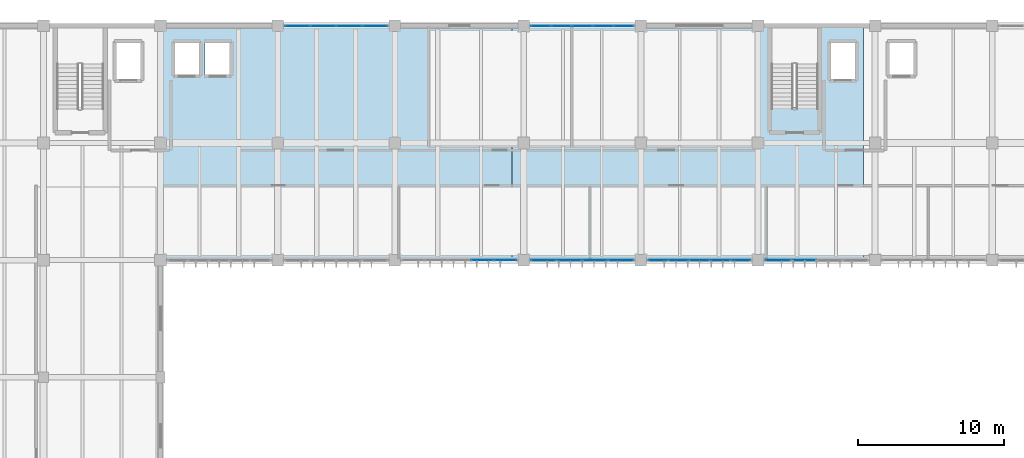
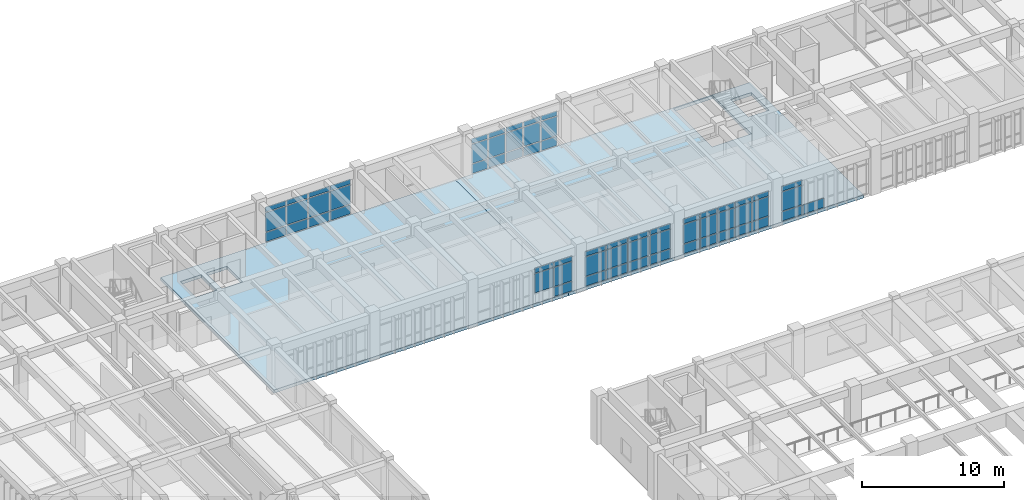
# One storey, part 35 of 67: 63 plates, 2 slabs, 6 elements without a shape of their own.
"""IFC4 building model written with IfcOpenShell, lengths in metres."""

from ifc_helpers import new_model, si_unit, direction, frame, origin, origin_2d, place, context, subcontext, project, spatial, polyline, rectangle, outline, extrude, material, layer, layer_set, type_object, element, aggregate, save


model = new_model("IFC4")

# Units and contexts
model_context = context("Model", 3, precision=1e-05, world=origin(), true_north=direction((0.0, 1.0)))
body_context = subcontext(model_context, "Body", "Model", "MODEL_VIEW")
ifc_project = project(units=[si_unit("LENGTHUNIT", "METRE"), si_unit("AREAUNIT", "SQUARE_METRE"), si_unit("VOLUMEUNIT", "CUBIC_METRE"), si_unit("PLANEANGLEUNIT", "RADIAN"), si_unit("MASSUNIT", "GRAM", prefix="KILO")], contexts=[model_context])

# Site, building, storey
site_placement = place(None, origin())
site = spatial("IfcSite", under=ifc_project, at=site_placement, CompositionType="ELEMENT")
building_placement = place(site_placement, origin())
building = spatial("IfcBuilding", under=site, at=building_placement, Name="Tlaxcora Railside Police Headquarters", CompositionType="ELEMENT")
storey_placement = place(building_placement, frame((0.0, 0.0, 4.800048828125)))
storey = spatial("IfcBuildingStorey", under=building, at=storey_placement, Name="L01", CompositionType="ELEMENT", Elevation=4.800048828125)

# Curtain wall, plates
ifc_material_1 = material(Name="Thermally broken low-E insulated glazing", Category="glass")
curtain_wall_type_1 = type_object("IfcCurtainWallType", Name="Unitised Curtain Wall Assembly CW-23", PredefinedType="NOTDEFINED", material=ifc_material_1)
curtain_wall_1_placement = place(storey_placement, origin())
curtain_wall_1 = element("IfcCurtainWall", 1, at=curtain_wall_1_placement, inside=storey, type_object=curtain_wall_type_1, Name="V5 L01 curtain wall 36", PredefinedType="NOTDEFINED")
ifc_layer_1 = layer(ifc_material_1, 0.0400390625, Name="Thermally broken low-E insulated glazing")
ifc_layer_set_1 = layer_set([ifc_layer_1], Name="Thermally broken low-E insulated glazing")
plate_type_1 = type_object("IfcPlateType", Name="Curtain Wall Infill Panel CW-17", PredefinedType="CURTAIN_PANEL", material=ifc_layer_set_1)
plate_1_placement = place(storey_placement, frame((63.179931640625, 76.800048828125, 0.080078125), z_axis=(0.0, 0.0, 1.0), x_axis=(1.0, 0.0, 0.0)))
plate_1 = element("IfcPlate", 2, at=plate_1_placement, type_object=plate_type_1, Name="CW panel 1.1", PredefinedType="CURTAIN_PANEL", context=body_context, shape_type="SweptSolid", body=[
    extrude(rectangle(XDim=1.300048828125, YDim=0.0400390625, at=origin_2d()), origin(), (0.0, 0.0, 1.0), 0.780029296875),
])
plate_2_placement = place(storey_placement, frame((63.179931640625, 76.800048828125, 0.93994140625), z_axis=(0.0, 0.0, 1.0), x_axis=(1.0, 0.0, 0.0)))
plate_2 = element("IfcPlate", 3, at=plate_2_placement, type_object=plate_type_1, Name="CW panel 1.2", PredefinedType="CURTAIN_PANEL", context=body_context, shape_type="SweptSolid", body=[
    extrude(rectangle(XDim=1.300048828125, YDim=0.0400390625, at=origin_2d()), origin(), (0.0, 0.0, 1.0), 1.6298828125),
])
plate_3_placement = place(storey_placement, frame((63.179931640625, 76.800048828125, 2.64990234375), z_axis=(0.0, 0.0, 1.0), x_axis=(1.0, 0.0, 0.0)))
plate_3 = element("IfcPlate", 4, at=plate_3_placement, type_object=plate_type_1, Name="CW panel 1.3", PredefinedType="CURTAIN_PANEL", context=body_context, shape_type="SweptSolid", body=[
    extrude(rectangle(XDim=1.300048828125, YDim=0.0400390625, at=origin_2d()), origin(), (0.0, 0.0, 1.0), 0.409912109375),
])
plate_4_placement = place(storey_placement, frame((64.580078125, 76.800048828125, 0.080078125), z_axis=(0.0, 0.0, 1.0), x_axis=(1.0, 0.0, 0.0)))
plate_4 = element("IfcPlate", 5, at=plate_4_placement, type_object=plate_type_1, Name="CW panel 2.1", PredefinedType="CURTAIN_PANEL", context=body_context, shape_type="SweptSolid", body=[
    extrude(rectangle(XDim=1.340087890625, YDim=0.0400390625, at=origin_2d()), origin(), (0.0, 0.0, 1.0), 0.780029296875),
])
plate_5_placement = place(storey_placement, frame((64.580078125, 76.800048828125, 0.93994140625), z_axis=(0.0, 0.0, 1.0), x_axis=(1.0, 0.0, 0.0)))
plate_5 = element("IfcPlate", 6, at=plate_5_placement, type_object=plate_type_1, Name="CW panel 2.2", PredefinedType="CURTAIN_PANEL", context=body_context, shape_type="SweptSolid", body=[
    extrude(rectangle(XDim=1.340087890625, YDim=0.0400390625, at=origin_2d()), origin(), (0.0, 0.0, 1.0), 1.6298828125),
])
plate_6_placement = place(storey_placement, frame((64.580078125, 76.800048828125, 2.64990234375), z_axis=(0.0, 0.0, 1.0), x_axis=(1.0, 0.0, 0.0)))
plate_6 = element("IfcPlate", 7, at=plate_6_placement, type_object=plate_type_1, Name="CW panel 2.3", PredefinedType="CURTAIN_PANEL", context=body_context, shape_type="SweptSolid", body=[
    extrude(rectangle(XDim=1.340087890625, YDim=0.0400390625, at=origin_2d()), origin(), (0.0, 0.0, 1.0), 0.409912109375),
])
plate_7_placement = place(storey_placement, frame((66.0, 76.800048828125, 0.080078125), z_axis=(0.0, 0.0, 1.0), x_axis=(1.0, 0.0, 0.0)))
plate_7 = element("IfcPlate", 8, at=plate_7_placement, type_object=plate_type_1, Name="CW panel 3.1", PredefinedType="CURTAIN_PANEL", context=body_context, shape_type="SweptSolid", body=[
    extrude(rectangle(XDim=1.340087890625, YDim=0.0400390625, at=origin_2d()), origin(), (0.0, 0.0, 1.0), 0.780029296875),
])
plate_8_placement = place(storey_placement, frame((66.0, 76.800048828125, 0.93994140625), z_axis=(0.0, 0.0, 1.0), x_axis=(1.0, 0.0, 0.0)))
plate_8 = element("IfcPlate", 9, at=plate_8_placement, type_object=plate_type_1, Name="CW panel 3.2", PredefinedType="CURTAIN_PANEL", context=body_context, shape_type="SweptSolid", body=[
    extrude(rectangle(XDim=1.340087890625, YDim=0.0400390625, at=origin_2d()), origin(), (0.0, 0.0, 1.0), 1.6298828125),
])
plate_9_placement = place(storey_placement, frame((66.0, 76.800048828125, 2.64990234375), z_axis=(0.0, 0.0, 1.0), x_axis=(1.0, 0.0, 0.0)))
plate_9 = element("IfcPlate", 10, at=plate_9_placement, type_object=plate_type_1, Name="CW panel 3.3", PredefinedType="CURTAIN_PANEL", context=body_context, shape_type="SweptSolid", body=[
    extrude(rectangle(XDim=1.340087890625, YDim=0.0400390625, at=origin_2d()), origin(), (0.0, 0.0, 1.0), 0.409912109375),
])
plate_10_placement = place(storey_placement, frame((67.419921875, 76.800048828125, 0.080078125), z_axis=(0.0, 0.0, 1.0), x_axis=(1.0, 0.0, 0.0)))
plate_10 = element("IfcPlate", 11, at=plate_10_placement, type_object=plate_type_1, Name="CW panel 4.1", PredefinedType="CURTAIN_PANEL", context=body_context, shape_type="SweptSolid", body=[
    extrude(rectangle(XDim=1.340087890625, YDim=0.0400390625, at=origin_2d()), origin(), (0.0, 0.0, 1.0), 0.780029296875),
])
plate_11_placement = place(storey_placement, frame((67.419921875, 76.800048828125, 0.93994140625), z_axis=(0.0, 0.0, 1.0), x_axis=(1.0, 0.0, 0.0)))
plate_11 = element("IfcPlate", 12, at=plate_11_placement, type_object=plate_type_1, Name="CW panel 4.2", PredefinedType="CURTAIN_PANEL", context=body_context, shape_type="SweptSolid", body=[
    extrude(rectangle(XDim=1.340087890625, YDim=0.0400390625, at=origin_2d()), origin(), (0.0, 0.0, 1.0), 1.6298828125),
])
plate_12_placement = place(storey_placement, frame((67.419921875, 76.800048828125, 2.64990234375), z_axis=(0.0, 0.0, 1.0), x_axis=(1.0, 0.0, 0.0)))
plate_12 = element("IfcPlate", 13, at=plate_12_placement, type_object=plate_type_1, Name="CW panel 4.3", PredefinedType="CURTAIN_PANEL", context=body_context, shape_type="SweptSolid", body=[
    extrude(rectangle(XDim=1.340087890625, YDim=0.0400390625, at=origin_2d()), origin(), (0.0, 0.0, 1.0), 0.409912109375),
])
plate_13_placement = place(storey_placement, frame((68.820068359375, 76.800048828125, 0.080078125), z_axis=(0.0, 0.0, 1.0), x_axis=(1.0, 0.0, 0.0)))
plate_13 = element("IfcPlate", 14, at=plate_13_placement, type_object=plate_type_1, Name="CW panel 5.1", PredefinedType="CURTAIN_PANEL", context=body_context, shape_type="SweptSolid", body=[
    extrude(rectangle(XDim=1.300048828125, YDim=0.0400390625, at=origin_2d()), origin(), (0.0, 0.0, 1.0), 0.780029296875),
])
plate_14_placement = place(storey_placement, frame((68.820068359375, 76.800048828125, 0.93994140625), z_axis=(0.0, 0.0, 1.0), x_axis=(1.0, 0.0, 0.0)))
plate_14 = element("IfcPlate", 15, at=plate_14_placement, type_object=plate_type_1, Name="CW panel 5.2", PredefinedType="CURTAIN_PANEL", context=body_context, shape_type="SweptSolid", body=[
    extrude(rectangle(XDim=1.300048828125, YDim=0.0400390625, at=origin_2d()), origin(), (0.0, 0.0, 1.0), 1.6298828125),
])
plate_15_placement = place(storey_placement, frame((68.820068359375, 76.800048828125, 2.64990234375), z_axis=(0.0, 0.0, 1.0), x_axis=(1.0, 0.0, 0.0)))
plate_15 = element("IfcPlate", 16, at=plate_15_placement, type_object=plate_type_1, Name="CW panel 5.3", PredefinedType="CURTAIN_PANEL", context=body_context, shape_type="SweptSolid", body=[
    extrude(rectangle(XDim=1.300048828125, YDim=0.0400390625, at=origin_2d()), origin(), (0.0, 0.0, 1.0), 0.409912109375),
])
aggregate(curtain_wall_1, [plate_1, plate_2, plate_3, plate_4, plate_5, plate_6, plate_7, plate_8, plate_9, plate_10, plate_11, plate_12, plate_13, plate_14, plate_15])

curtain_wall_type_2 = type_object("IfcCurtainWallType", Name="Unitised Curtain Wall Assembly CW-15", PredefinedType="NOTDEFINED", material=ifc_material_1)
curtain_wall_2_placement = place(storey_placement, origin())
curtain_wall_2 = element("IfcCurtainWall", 17, at=curtain_wall_2_placement, inside=storey, type_object=curtain_wall_type_2, Name="V5 L01 curtain wall 34", PredefinedType="NOTDEFINED")
ifc_layer_2 = layer(ifc_material_1, 0.031982421875, Name="Thermally broken low-E insulated glazing")
ifc_layer_set_2 = layer_set([ifc_layer_2], Name="Thermally broken low-E insulated glazing")
plate_type_2 = type_object("IfcPlateType", Name="Curtain Wall Infill Panel CW-41", PredefinedType="CURTAIN_PANEL", material=ifc_layer_set_2)
plate_16_placement = place(storey_placement, frame((51.179931640625, 76.800048828125, 0.9375), z_axis=(0.0, 0.0, 1.0), x_axis=(1.0, 0.0, 0.0)))
plate_16 = element("IfcPlate", 18, at=plate_16_placement, type_object=plate_type_2, Name="CW panel 4.2", PredefinedType="CURTAIN_PANEL", context=body_context, shape_type="SweptSolid", body=[
    extrude(rectangle(XDim=1.5048828125, YDim=0.031982421875, at=origin_2d()), origin(), (0.0, 0.0, 1.0), 1.635009765625),
])
plate_17_placement = place(storey_placement, frame((51.179931640625, 76.800048828125, 2.6474609375), z_axis=(0.0, 0.0, 1.0), x_axis=(1.0, 0.0, 0.0)))
plate_17 = element("IfcPlate", 19, at=plate_17_placement, type_object=plate_type_2, Name="CW panel 4.3", PredefinedType="CURTAIN_PANEL", context=body_context, shape_type="SweptSolid", body=[
    extrude(rectangle(XDim=1.5048828125, YDim=0.031982421875, at=origin_2d()), origin(), (0.0, 0.0, 1.0), 0.41748046875),
])
plate_18_placement = place(storey_placement, frame((52.7412109375, 76.800048828125, 0.074951171875), z_axis=(0.0, 0.0, 1.0), x_axis=(1.0, 0.0, 0.0)))
plate_18 = element("IfcPlate", 20, at=plate_18_placement, type_object=plate_type_2, Name="CW panel 5.1", PredefinedType="CURTAIN_PANEL", context=body_context, shape_type="SweptSolid", body=[
    extrude(rectangle(XDim=1.467529296875, YDim=0.031982421875, at=origin_2d()), origin(), (0.0, 0.0, 1.0), 0.78759765625),
])
plate_19_placement = place(storey_placement, frame((52.7412109375, 76.800048828125, 0.9375), z_axis=(0.0, 0.0, 1.0), x_axis=(1.0, 0.0, 0.0)))
plate_19 = element("IfcPlate", 21, at=plate_19_placement, type_object=plate_type_2, Name="CW panel 5.2", PredefinedType="CURTAIN_PANEL", context=body_context, shape_type="SweptSolid", body=[
    extrude(rectangle(XDim=1.467529296875, YDim=0.031982421875, at=origin_2d()), origin(), (0.0, 0.0, 1.0), 1.635009765625),
])
plate_20_placement = place(storey_placement, frame((52.7412109375, 76.800048828125, 2.6474609375), z_axis=(0.0, 0.0, 1.0), x_axis=(1.0, 0.0, 0.0)))
plate_20 = element("IfcPlate", 22, at=plate_20_placement, type_object=plate_type_2, Name="CW panel 5.3", PredefinedType="CURTAIN_PANEL", context=body_context, shape_type="SweptSolid", body=[
    extrude(rectangle(XDim=1.467529296875, YDim=0.031982421875, at=origin_2d()), origin(), (0.0, 0.0, 1.0), 0.41748046875),
])
aggregate(curtain_wall_2, [plate_16, plate_17, plate_18, plate_19, plate_20])

curtain_wall_3_placement = place(storey_placement, origin())
curtain_wall_3 = element("IfcCurtainWall", 23, at=curtain_wall_3_placement, inside=storey, type_object=curtain_wall_type_2, Name="V5 L01 curtain wall 42", PredefinedType="NOTDEFINED")
plate_21_placement = place(storey_placement, frame((60.8212890625, 92.800048828125, 0.074951171875), z_axis=(0.0, 0.0, 1.0), x_axis=(-1.0, 0.0, 0.0)))
plate_21 = element("IfcPlate", 24, at=plate_21_placement, type_object=plate_type_2, Name="CW panel 1.1", PredefinedType="CURTAIN_PANEL", context=body_context, shape_type="SweptSolid", body=[
    extrude(rectangle(XDim=1.3076171875, YDim=0.031982421875, at=origin_2d()), origin(), (0.0, 0.0, 1.0), 0.78759765625),
])
plate_22_placement = place(storey_placement, frame((60.8212890625, 92.800048828125, 0.9375), z_axis=(0.0, 0.0, 1.0), x_axis=(-1.0, 0.0, 0.0)))
plate_22 = element("IfcPlate", 25, at=plate_22_placement, type_object=plate_type_2, Name="CW panel 1.2", PredefinedType="CURTAIN_PANEL", context=body_context, shape_type="SweptSolid", body=[
    extrude(rectangle(XDim=1.3076171875, YDim=0.031982421875, at=origin_2d()), origin(), (0.0, 0.0, 1.0), 1.635009765625),
])
plate_23_placement = place(storey_placement, frame((60.8212890625, 92.800048828125, 2.6474609375), z_axis=(0.0, 0.0, 1.0), x_axis=(-1.0, 0.0, 0.0)))
plate_23 = element("IfcPlate", 26, at=plate_23_placement, type_object=plate_type_2, Name="CW panel 1.3", PredefinedType="CURTAIN_PANEL", context=body_context, shape_type="SweptSolid", body=[
    extrude(rectangle(XDim=1.3076171875, YDim=0.031982421875, at=origin_2d()), origin(), (0.0, 0.0, 1.0), 0.41748046875),
])
plate_24_placement = place(storey_placement, frame((59.419921875, 92.800048828125, 0.074951171875), z_axis=(0.0, 0.0, 1.0), x_axis=(-1.0, 0.0, 0.0)))
plate_24 = element("IfcPlate", 27, at=plate_24_placement, type_object=plate_type_2, Name="CW panel 2.1", PredefinedType="CURTAIN_PANEL", context=body_context, shape_type="SweptSolid", body=[
    extrude(rectangle(XDim=1.344970703125, YDim=0.031982421875, at=origin_2d()), origin(), (0.0, 0.0, 1.0), 0.78759765625),
])
plate_25_placement = place(storey_placement, frame((59.419921875, 92.800048828125, 0.9375), z_axis=(0.0, 0.0, 1.0), x_axis=(-1.0, 0.0, 0.0)))
plate_25 = element("IfcPlate", 28, at=plate_25_placement, type_object=plate_type_2, Name="CW panel 2.2", PredefinedType="CURTAIN_PANEL", context=body_context, shape_type="SweptSolid", body=[
    extrude(rectangle(XDim=1.344970703125, YDim=0.031982421875, at=origin_2d()), origin(), (0.0, 0.0, 1.0), 1.635009765625),
])
plate_26_placement = place(storey_placement, frame((59.419921875, 92.800048828125, 2.6474609375), z_axis=(0.0, 0.0, 1.0), x_axis=(-1.0, 0.0, 0.0)))
plate_26 = element("IfcPlate", 29, at=plate_26_placement, type_object=plate_type_2, Name="CW panel 2.3", PredefinedType="CURTAIN_PANEL", context=body_context, shape_type="SweptSolid", body=[
    extrude(rectangle(XDim=1.344970703125, YDim=0.031982421875, at=origin_2d()), origin(), (0.0, 0.0, 1.0), 0.41748046875),
])
plate_27_placement = place(storey_placement, frame((58.0, 92.800048828125, 0.074951171875), z_axis=(0.0, 0.0, 1.0), x_axis=(-1.0, 0.0, 0.0)))
plate_27 = element("IfcPlate", 30, at=plate_27_placement, type_object=plate_type_2, Name="CW panel 3.1", PredefinedType="CURTAIN_PANEL", context=body_context, shape_type="SweptSolid", body=[
    extrude(rectangle(XDim=1.344970703125, YDim=0.031982421875, at=origin_2d()), origin(), (0.0, 0.0, 1.0), 0.78759765625),
])
plate_28_placement = place(storey_placement, frame((58.0, 92.800048828125, 0.9375), z_axis=(0.0, 0.0, 1.0), x_axis=(-1.0, 0.0, 0.0)))
plate_28 = element("IfcPlate", 31, at=plate_28_placement, type_object=plate_type_2, Name="CW panel 3.2", PredefinedType="CURTAIN_PANEL", context=body_context, shape_type="SweptSolid", body=[
    extrude(rectangle(XDim=1.344970703125, YDim=0.031982421875, at=origin_2d()), origin(), (0.0, 0.0, 1.0), 1.635009765625),
])
plate_29_placement = place(storey_placement, frame((58.0, 92.800048828125, 2.6474609375), z_axis=(0.0, 0.0, 1.0), x_axis=(-1.0, 0.0, 0.0)))
plate_29 = element("IfcPlate", 32, at=plate_29_placement, type_object=plate_type_2, Name="CW panel 3.3", PredefinedType="CURTAIN_PANEL", context=body_context, shape_type="SweptSolid", body=[
    extrude(rectangle(XDim=1.344970703125, YDim=0.031982421875, at=origin_2d()), origin(), (0.0, 0.0, 1.0), 0.41748046875),
])
plate_30_placement = place(storey_placement, frame((56.580078125, 92.800048828125, 0.074951171875), z_axis=(0.0, 0.0, 1.0), x_axis=(-1.0, 0.0, 0.0)))
plate_30 = element("IfcPlate", 33, at=plate_30_placement, type_object=plate_type_2, Name="CW panel 4.1", PredefinedType="CURTAIN_PANEL", context=body_context, shape_type="SweptSolid", body=[
    extrude(rectangle(XDim=1.344970703125, YDim=0.031982421875, at=origin_2d()), origin(), (0.0, 0.0, 1.0), 0.78759765625),
])
plate_31_placement = place(storey_placement, frame((56.580078125, 92.800048828125, 0.9375), z_axis=(0.0, 0.0, 1.0), x_axis=(-1.0, 0.0, 0.0)))
plate_31 = element("IfcPlate", 34, at=plate_31_placement, type_object=plate_type_2, Name="CW panel 4.2", PredefinedType="CURTAIN_PANEL", context=body_context, shape_type="SweptSolid", body=[
    extrude(rectangle(XDim=1.344970703125, YDim=0.031982421875, at=origin_2d()), origin(), (0.0, 0.0, 1.0), 1.635009765625),
])
plate_32_placement = place(storey_placement, frame((56.580078125, 92.800048828125, 2.6474609375), z_axis=(0.0, 0.0, 1.0), x_axis=(-1.0, 0.0, 0.0)))
plate_32 = element("IfcPlate", 35, at=plate_32_placement, type_object=plate_type_2, Name="CW panel 4.3", PredefinedType="CURTAIN_PANEL", context=body_context, shape_type="SweptSolid", body=[
    extrude(rectangle(XDim=1.344970703125, YDim=0.031982421875, at=origin_2d()), origin(), (0.0, 0.0, 1.0), 0.41748046875),
])
plate_33_placement = place(storey_placement, frame((55.1787109375, 92.800048828125, 0.074951171875), z_axis=(0.0, 0.0, 1.0), x_axis=(-1.0, 0.0, 0.0)))
plate_33 = element("IfcPlate", 36, at=plate_33_placement, type_object=plate_type_2, Name="CW panel 5.1", PredefinedType="CURTAIN_PANEL", context=body_context, shape_type="SweptSolid", body=[
    extrude(rectangle(XDim=1.3076171875, YDim=0.031982421875, at=origin_2d()), origin(), (0.0, 0.0, 1.0), 0.78759765625),
])
plate_34_placement = place(storey_placement, frame((55.1787109375, 92.800048828125, 0.9375), z_axis=(0.0, 0.0, 1.0), x_axis=(-1.0, 0.0, 0.0)))
plate_34 = element("IfcPlate", 37, at=plate_34_placement, type_object=plate_type_2, Name="CW panel 5.2", PredefinedType="CURTAIN_PANEL", context=body_context, shape_type="SweptSolid", body=[
    extrude(rectangle(XDim=1.3076171875, YDim=0.031982421875, at=origin_2d()), origin(), (0.0, 0.0, 1.0), 1.635009765625),
])
plate_35_placement = place(storey_placement, frame((55.1787109375, 92.800048828125, 2.6474609375), z_axis=(0.0, 0.0, 1.0), x_axis=(-1.0, 0.0, 0.0)))
plate_35 = element("IfcPlate", 38, at=plate_35_placement, type_object=plate_type_2, Name="CW panel 5.3", PredefinedType="CURTAIN_PANEL", context=body_context, shape_type="SweptSolid", body=[
    extrude(rectangle(XDim=1.3076171875, YDim=0.031982421875, at=origin_2d()), origin(), (0.0, 0.0, 1.0), 0.41748046875),
])
aggregate(curtain_wall_3, [plate_21, plate_22, plate_23, plate_24, plate_25, plate_26, plate_27, plate_28, plate_29, plate_30, plate_31, plate_32, plate_33, plate_34, plate_35])

curtain_wall_type_3 = type_object("IfcCurtainWallType", Name="Unitised Curtain Wall Assembly CW-83", PredefinedType="NOTDEFINED", material=ifc_material_1)
curtain_wall_4_placement = place(storey_placement, origin())
curtain_wall_4 = element("IfcCurtainWall", 39, at=curtain_wall_4_placement, inside=storey, type_object=curtain_wall_type_3, Name="V5 L01 curtain wall 35", PredefinedType="NOTDEFINED")
ifc_layer_3 = layer(ifc_material_1, 0.035888671875, Name="Thermally broken low-E insulated glazing")
ifc_layer_set_3 = layer_set([ifc_layer_3], Name="Thermally broken low-E insulated glazing")
plate_type_3 = type_object("IfcPlateType", Name="Curtain Wall Infill Panel CW-72", PredefinedType="CURTAIN_PANEL", material=ifc_layer_set_3)
plate_36_placement = place(storey_placement, frame((55.357421875, 76.800048828125, 0.080078125), z_axis=(0.0, 0.0, 1.0), x_axis=(1.0, 0.0, 0.0)))
plate_36 = element("IfcPlate", 40, at=plate_36_placement, type_object=plate_type_3, Name="CW panel 1.1", PredefinedType="CURTAIN_PANEL", context=body_context, shape_type="SweptSolid", body=[
    extrude(rectangle(XDim=1.655029296875, YDim=0.035888671875, at=origin_2d()), origin(), (0.0, 0.0, 1.0), 0.780029296875),
])
plate_37_placement = place(storey_placement, frame((55.357421875, 76.800048828125, 0.93994140625), z_axis=(0.0, 0.0, 1.0), x_axis=(1.0, 0.0, 0.0)))
plate_37 = element("IfcPlate", 41, at=plate_37_placement, type_object=plate_type_3, Name="CW panel 1.2", PredefinedType="CURTAIN_PANEL", context=body_context, shape_type="SweptSolid", body=[
    extrude(rectangle(XDim=1.655029296875, YDim=0.035888671875, at=origin_2d()), origin(), (0.0, 0.0, 1.0), 1.6298828125),
])
plate_38_placement = place(storey_placement, frame((55.357421875, 76.800048828125, 2.64990234375), z_axis=(0.0, 0.0, 1.0), x_axis=(1.0, 0.0, 0.0)))
plate_38 = element("IfcPlate", 42, at=plate_38_placement, type_object=plate_type_3, Name="CW panel 1.3", PredefinedType="CURTAIN_PANEL", context=body_context, shape_type="SweptSolid", body=[
    extrude(rectangle(XDim=1.655029296875, YDim=0.035888671875, at=origin_2d()), origin(), (0.0, 0.0, 1.0), 0.409912109375),
])
plate_39_placement = place(storey_placement, frame((57.112548828125, 76.800048828125, 0.080078125), z_axis=(0.0, 0.0, 1.0), x_axis=(1.0, 0.0, 0.0)))
plate_39 = element("IfcPlate", 43, at=plate_39_placement, type_object=plate_type_3, Name="CW panel 2.1", PredefinedType="CURTAIN_PANEL", context=body_context, shape_type="SweptSolid", body=[
    extrude(rectangle(XDim=1.695068359375, YDim=0.035888671875, at=origin_2d()), origin(), (0.0, 0.0, 1.0), 0.780029296875),
])
plate_40_placement = place(storey_placement, frame((57.112548828125, 76.800048828125, 0.93994140625), z_axis=(0.0, 0.0, 1.0), x_axis=(1.0, 0.0, 0.0)))
plate_40 = element("IfcPlate", 44, at=plate_40_placement, type_object=plate_type_3, Name="CW panel 2.2", PredefinedType="CURTAIN_PANEL", context=body_context, shape_type="SweptSolid", body=[
    extrude(rectangle(XDim=1.695068359375, YDim=0.035888671875, at=origin_2d()), origin(), (0.0, 0.0, 1.0), 1.6298828125),
])
plate_41_placement = place(storey_placement, frame((57.112548828125, 76.800048828125, 2.64990234375), z_axis=(0.0, 0.0, 1.0), x_axis=(1.0, 0.0, 0.0)))
plate_41 = element("IfcPlate", 45, at=plate_41_placement, type_object=plate_type_3, Name="CW panel 2.3", PredefinedType="CURTAIN_PANEL", context=body_context, shape_type="SweptSolid", body=[
    extrude(rectangle(XDim=1.695068359375, YDim=0.035888671875, at=origin_2d()), origin(), (0.0, 0.0, 1.0), 0.409912109375),
])
plate_42_placement = place(storey_placement, frame((58.887451171875, 76.800048828125, 0.080078125), z_axis=(0.0, 0.0, 1.0), x_axis=(1.0, 0.0, 0.0)))
plate_42 = element("IfcPlate", 46, at=plate_42_placement, type_object=plate_type_3, Name="CW panel 3.1", PredefinedType="CURTAIN_PANEL", context=body_context, shape_type="SweptSolid", body=[
    extrude(rectangle(XDim=1.695068359375, YDim=0.035888671875, at=origin_2d()), origin(), (0.0, 0.0, 1.0), 0.780029296875),
])
plate_43_placement = place(storey_placement, frame((58.887451171875, 76.800048828125, 0.93994140625), z_axis=(0.0, 0.0, 1.0), x_axis=(1.0, 0.0, 0.0)))
plate_43 = element("IfcPlate", 47, at=plate_43_placement, type_object=plate_type_3, Name="CW panel 3.2", PredefinedType="CURTAIN_PANEL", context=body_context, shape_type="SweptSolid", body=[
    extrude(rectangle(XDim=1.695068359375, YDim=0.035888671875, at=origin_2d()), origin(), (0.0, 0.0, 1.0), 1.6298828125),
])
plate_44_placement = place(storey_placement, frame((58.887451171875, 76.800048828125, 2.64990234375), z_axis=(0.0, 0.0, 1.0), x_axis=(1.0, 0.0, 0.0)))
plate_44 = element("IfcPlate", 48, at=plate_44_placement, type_object=plate_type_3, Name="CW panel 3.3", PredefinedType="CURTAIN_PANEL", context=body_context, shape_type="SweptSolid", body=[
    extrude(rectangle(XDim=1.695068359375, YDim=0.035888671875, at=origin_2d()), origin(), (0.0, 0.0, 1.0), 0.409912109375),
])
plate_45_placement = place(storey_placement, frame((60.642578125, 76.800048828125, 0.080078125), z_axis=(0.0, 0.0, 1.0), x_axis=(1.0, 0.0, 0.0)))
plate_45 = element("IfcPlate", 49, at=plate_45_placement, type_object=plate_type_3, Name="CW panel 4.1", PredefinedType="CURTAIN_PANEL", context=body_context, shape_type="SweptSolid", body=[
    extrude(rectangle(XDim=1.655029296875, YDim=0.035888671875, at=origin_2d()), origin(), (0.0, 0.0, 1.0), 0.780029296875),
])
plate_46_placement = place(storey_placement, frame((60.642578125, 76.800048828125, 0.93994140625), z_axis=(0.0, 0.0, 1.0), x_axis=(1.0, 0.0, 0.0)))
plate_46 = element("IfcPlate", 50, at=plate_46_placement, type_object=plate_type_3, Name="CW panel 4.2", PredefinedType="CURTAIN_PANEL", context=body_context, shape_type="SweptSolid", body=[
    extrude(rectangle(XDim=1.655029296875, YDim=0.035888671875, at=origin_2d()), origin(), (0.0, 0.0, 1.0), 1.6298828125),
])
plate_47_placement = place(storey_placement, frame((60.642578125, 76.800048828125, 2.64990234375), z_axis=(0.0, 0.0, 1.0), x_axis=(1.0, 0.0, 0.0)))
plate_47 = element("IfcPlate", 51, at=plate_47_placement, type_object=plate_type_3, Name="CW panel 4.3", PredefinedType="CURTAIN_PANEL", context=body_context, shape_type="SweptSolid", body=[
    extrude(rectangle(XDim=1.655029296875, YDim=0.035888671875, at=origin_2d()), origin(), (0.0, 0.0, 1.0), 0.409912109375),
])
aggregate(curtain_wall_4, [plate_36, plate_37, plate_38, plate_39, plate_40, plate_41, plate_42, plate_43, plate_44, plate_45, plate_46, plate_47])

curtain_wall_5_placement = place(storey_placement, origin())
curtain_wall_5 = element("IfcCurtainWall", 52, at=curtain_wall_5_placement, inside=storey, type_object=curtain_wall_type_3, Name="V5 L01 curtain wall 43", PredefinedType="NOTDEFINED")
plate_48_placement = place(storey_placement, frame((43.842529296875, 92.800048828125, 0.080078125), z_axis=(0.0, 0.0, 1.0), x_axis=(-1.0, 0.0, 0.0)))
plate_48 = element("IfcPlate", 53, at=plate_48_placement, type_object=plate_type_3, Name="CW panel 1.1", PredefinedType="CURTAIN_PANEL", context=body_context, shape_type="SweptSolid", body=[
    extrude(rectangle(XDim=1.655029296875, YDim=0.035888671875, at=origin_2d()), origin(), (0.0, 0.0, 1.0), 0.780029296875),
])
plate_49_placement = place(storey_placement, frame((43.842529296875, 92.800048828125, 0.93994140625), z_axis=(0.0, 0.0, 1.0), x_axis=(-1.0, 0.0, 0.0)))
plate_49 = element("IfcPlate", 54, at=plate_49_placement, type_object=plate_type_3, Name="CW panel 1.2", PredefinedType="CURTAIN_PANEL", context=body_context, shape_type="SweptSolid", body=[
    extrude(rectangle(XDim=1.655029296875, YDim=0.035888671875, at=origin_2d()), origin(), (0.0, 0.0, 1.0), 1.6298828125),
])
plate_50_placement = place(storey_placement, frame((43.842529296875, 92.800048828125, 2.64990234375), z_axis=(0.0, 0.0, 1.0), x_axis=(-1.0, 0.0, 0.0)))
plate_50 = element("IfcPlate", 55, at=plate_50_placement, type_object=plate_type_3, Name="CW panel 1.3", PredefinedType="CURTAIN_PANEL", context=body_context, shape_type="SweptSolid", body=[
    extrude(rectangle(XDim=1.655029296875, YDim=0.035888671875, at=origin_2d()), origin(), (0.0, 0.0, 1.0), 0.409912109375),
])
plate_51_placement = place(storey_placement, frame((42.08740234375, 92.800048828125, 0.080078125), z_axis=(0.0, 0.0, 1.0), x_axis=(-1.0, 0.0, 0.0)))
plate_51 = element("IfcPlate", 56, at=plate_51_placement, type_object=plate_type_3, Name="CW panel 2.1", PredefinedType="CURTAIN_PANEL", context=body_context, shape_type="SweptSolid", body=[
    extrude(rectangle(XDim=1.695068359375, YDim=0.035888671875, at=origin_2d()), origin(), (0.0, 0.0, 1.0), 0.780029296875),
])
plate_52_placement = place(storey_placement, frame((42.08740234375, 92.800048828125, 0.93994140625), z_axis=(0.0, 0.0, 1.0), x_axis=(-1.0, 0.0, 0.0)))
plate_52 = element("IfcPlate", 57, at=plate_52_placement, type_object=plate_type_3, Name="CW panel 2.2", PredefinedType="CURTAIN_PANEL", context=body_context, shape_type="SweptSolid", body=[
    extrude(rectangle(XDim=1.695068359375, YDim=0.035888671875, at=origin_2d()), origin(), (0.0, 0.0, 1.0), 1.6298828125),
])
plate_53_placement = place(storey_placement, frame((42.08740234375, 92.800048828125, 2.64990234375), z_axis=(0.0, 0.0, 1.0), x_axis=(-1.0, 0.0, 0.0)))
plate_53 = element("IfcPlate", 58, at=plate_53_placement, type_object=plate_type_3, Name="CW panel 2.3", PredefinedType="CURTAIN_PANEL", context=body_context, shape_type="SweptSolid", body=[
    extrude(rectangle(XDim=1.695068359375, YDim=0.035888671875, at=origin_2d()), origin(), (0.0, 0.0, 1.0), 0.409912109375),
])
plate_54_placement = place(storey_placement, frame((40.3125, 92.800048828125, 0.080078125), z_axis=(0.0, 0.0, 1.0), x_axis=(-1.0, 0.0, 0.0)))
plate_54 = element("IfcPlate", 59, at=plate_54_placement, type_object=plate_type_3, Name="CW panel 3.1", PredefinedType="CURTAIN_PANEL", context=body_context, shape_type="SweptSolid", body=[
    extrude(rectangle(XDim=1.695068359375, YDim=0.035888671875, at=origin_2d()), origin(), (0.0, 0.0, 1.0), 0.780029296875),
])
plate_55_placement = place(storey_placement, frame((40.3125, 92.800048828125, 0.93994140625), z_axis=(0.0, 0.0, 1.0), x_axis=(-1.0, 0.0, 0.0)))
plate_55 = element("IfcPlate", 60, at=plate_55_placement, type_object=plate_type_3, Name="CW panel 3.2", PredefinedType="CURTAIN_PANEL", context=body_context, shape_type="SweptSolid", body=[
    extrude(rectangle(XDim=1.695068359375, YDim=0.035888671875, at=origin_2d()), origin(), (0.0, 0.0, 1.0), 1.6298828125),
])
plate_56_placement = place(storey_placement, frame((40.3125, 92.800048828125, 2.64990234375), z_axis=(0.0, 0.0, 1.0), x_axis=(-1.0, 0.0, 0.0)))
plate_56 = element("IfcPlate", 61, at=plate_56_placement, type_object=plate_type_3, Name="CW panel 3.3", PredefinedType="CURTAIN_PANEL", context=body_context, shape_type="SweptSolid", body=[
    extrude(rectangle(XDim=1.695068359375, YDim=0.035888671875, at=origin_2d()), origin(), (0.0, 0.0, 1.0), 0.409912109375),
])
plate_57_placement = place(storey_placement, frame((38.5576171875, 92.800048828125, 0.080078125), z_axis=(0.0, 0.0, 1.0), x_axis=(-1.0, 0.0, 0.0)))
plate_57 = element("IfcPlate", 62, at=plate_57_placement, type_object=plate_type_3, Name="CW panel 4.1", PredefinedType="CURTAIN_PANEL", context=body_context, shape_type="SweptSolid", body=[
    extrude(rectangle(XDim=1.655029296875, YDim=0.035888671875, at=origin_2d()), origin(), (0.0, 0.0, 1.0), 0.780029296875),
])
plate_58_placement = place(storey_placement, frame((38.5576171875, 92.800048828125, 0.93994140625), z_axis=(0.0, 0.0, 1.0), x_axis=(-1.0, 0.0, 0.0)))
plate_58 = element("IfcPlate", 63, at=plate_58_placement, type_object=plate_type_3, Name="CW panel 4.2", PredefinedType="CURTAIN_PANEL", context=body_context, shape_type="SweptSolid", body=[
    extrude(rectangle(XDim=1.655029296875, YDim=0.035888671875, at=origin_2d()), origin(), (0.0, 0.0, 1.0), 1.6298828125),
])
plate_59_placement = place(storey_placement, frame((38.5576171875, 92.800048828125, 2.64990234375), z_axis=(0.0, 0.0, 1.0), x_axis=(-1.0, 0.0, 0.0)))
plate_59 = element("IfcPlate", 64, at=plate_59_placement, type_object=plate_type_3, Name="CW panel 4.3", PredefinedType="CURTAIN_PANEL", context=body_context, shape_type="SweptSolid", body=[
    extrude(rectangle(XDim=1.655029296875, YDim=0.035888671875, at=origin_2d()), origin(), (0.0, 0.0, 1.0), 0.409912109375),
])
aggregate(curtain_wall_5, [plate_48, plate_49, plate_50, plate_51, plate_52, plate_53, plate_54, plate_55, plate_56, plate_57, plate_58, plate_59])

curtain_wall_type_4 = type_object("IfcCurtainWallType", Name="Unitised Curtain Wall Assembly CW-38", PredefinedType="NOTDEFINED", material=ifc_material_1)
curtain_wall_6_placement = place(storey_placement, origin())
curtain_wall_6 = element("IfcCurtainWall", 65, at=curtain_wall_6_placement, inside=storey, type_object=curtain_wall_type_4, Name="V5 L01 curtain wall 37", PredefinedType="NOTDEFINED")
ifc_layer_4 = layer(ifc_material_1, 0.028076171875, Name="Thermally broken low-E insulated glazing")
ifc_layer_set_4 = layer_set([ifc_layer_4], Name="Thermally broken low-E insulated glazing")
plate_type_4 = type_object("IfcPlateType", Name="Curtain Wall Infill Panel CW-92", PredefinedType="CURTAIN_PANEL", material=ifc_layer_set_4)
plate_60_placement = place(storey_placement, frame((71.356201171875, 76.800048828125, 0.074951171875), z_axis=(0.0, 0.0, 1.0), x_axis=(1.0, 0.0, 0.0)))
plate_60 = element("IfcPlate", 66, at=plate_60_placement, type_object=plate_type_4, Name="CW panel 1.1", PredefinedType="CURTAIN_PANEL", context=body_context, shape_type="SweptSolid", body=[
    extrude(rectangle(XDim=1.66259765625, YDim=0.028076171875, at=origin_2d()), origin(), (0.0, 0.0, 1.0), 0.78759765625),
])
plate_61_placement = place(storey_placement, frame((71.356201171875, 76.800048828125, 0.9375), z_axis=(0.0, 0.0, 1.0), x_axis=(1.0, 0.0, 0.0)))
plate_61 = element("IfcPlate", 67, at=plate_61_placement, type_object=plate_type_4, Name="CW panel 1.2", PredefinedType="CURTAIN_PANEL", context=body_context, shape_type="SweptSolid", body=[
    extrude(rectangle(XDim=1.66259765625, YDim=0.028076171875, at=origin_2d()), origin(), (0.0, 0.0, 1.0), 1.635009765625),
])
plate_62_placement = place(storey_placement, frame((71.356201171875, 76.800048828125, 2.6474609375), z_axis=(0.0, 0.0, 1.0), x_axis=(1.0, 0.0, 0.0)))
plate_62 = element("IfcPlate", 68, at=plate_62_placement, type_object=plate_type_4, Name="CW panel 1.3", PredefinedType="CURTAIN_PANEL", context=body_context, shape_type="SweptSolid", body=[
    extrude(rectangle(XDim=1.66259765625, YDim=0.028076171875, at=origin_2d()), origin(), (0.0, 0.0, 1.0), 0.41748046875),
])
plate_63_placement = place(storey_placement, frame((73.112548828125, 76.800048828125, 0.074951171875), z_axis=(0.0, 0.0, 1.0), x_axis=(1.0, 0.0, 0.0)))
plate_63 = element("IfcPlate", 69, at=plate_63_placement, type_object=plate_type_4, Name="CW panel 2.1", PredefinedType="CURTAIN_PANEL", context=body_context, shape_type="SweptSolid", body=[
    extrude(rectangle(XDim=1.699951171875, YDim=0.028076171875, at=origin_2d()), origin(), (0.0, 0.0, 1.0), 0.78759765625),
])
aggregate(curtain_wall_6, [plate_60, plate_61, plate_62, plate_63])

# Slabs
ifc_material_2 = material(Name="Concrete C35/45", Category="concrete")
ifc_layer_5 = layer(ifc_material_2, 0.27001953125, Name="Concrete C35/45")
ifc_layer_set_5 = layer_set([ifc_layer_5], Name="Concrete C35/45")
slab_type = type_object("IfcSlabType", Name="Suspended Floor Slab SL-36", PredefinedType="FLOOR", material=ifc_layer_set_5)
slab_1_placement = place(storey_placement, frame((0.0, 0.0, -0.27001953125)))
element("IfcSlab", 70, at=slab_1_placement, inside=storey, type_object=slab_type, Name="V5 L01 floor slab zone 2", PredefinedType="FLOOR", context=body_context, shape_type="SweptSolid", body=[
    extrude(outline(polyline([(53.199951171875, 92.800048828125), (29.199951171875, 92.800048828125), (29.199951171875, 76.800048828125), (53.199951171875, 76.800048828125), (53.199951171875, 92.800048828125)]), holes=[polyline([(31.85009765625, 89.449951171875), (30.14990234375, 89.449951171875), (30.14990234375, 91.64990234375), (31.85009765625, 91.64990234375), (31.85009765625, 89.449951171875)]), polyline([(32.25, 89.449951171875), (32.25, 91.64990234375), (33.949951171875, 91.64990234375), (33.949951171875, 89.449951171875), (32.25, 89.449951171875)])]), origin(), (0.0, 0.0, 1.0), 0.27001953125),
])
slab_2_placement = place(storey_placement, frame((0.0, 0.0, -0.27001953125)))
element("IfcSlab", 71, at=slab_2_placement, inside=storey, type_object=slab_type, Name="V5 L01 floor slab zone 3", PredefinedType="FLOOR", context=body_context, shape_type="SweptSolid", body=[
    extrude(outline(polyline([(77.199951171875, 92.800048828125), (53.199951171875, 92.800048828125), (53.199951171875, 76.800048828125), (77.199951171875, 76.800048828125), (77.199951171875, 92.800048828125)]), holes=[polyline([(70.909912109375, 92.68994140625), (74.110107421875, 92.68994140625), (74.110107421875, 87.25), (70.909912109375, 87.25), (70.909912109375, 92.68994140625)]), polyline([(76.64990234375, 91.64990234375), (76.64990234375, 89.14990234375), (74.949951171875, 89.14990234375), (74.949951171875, 91.64990234375), (76.64990234375, 91.64990234375)])]), origin(), (0.0, 0.0, 1.0), 0.27001953125),
])

save(model, "model.ifc")
